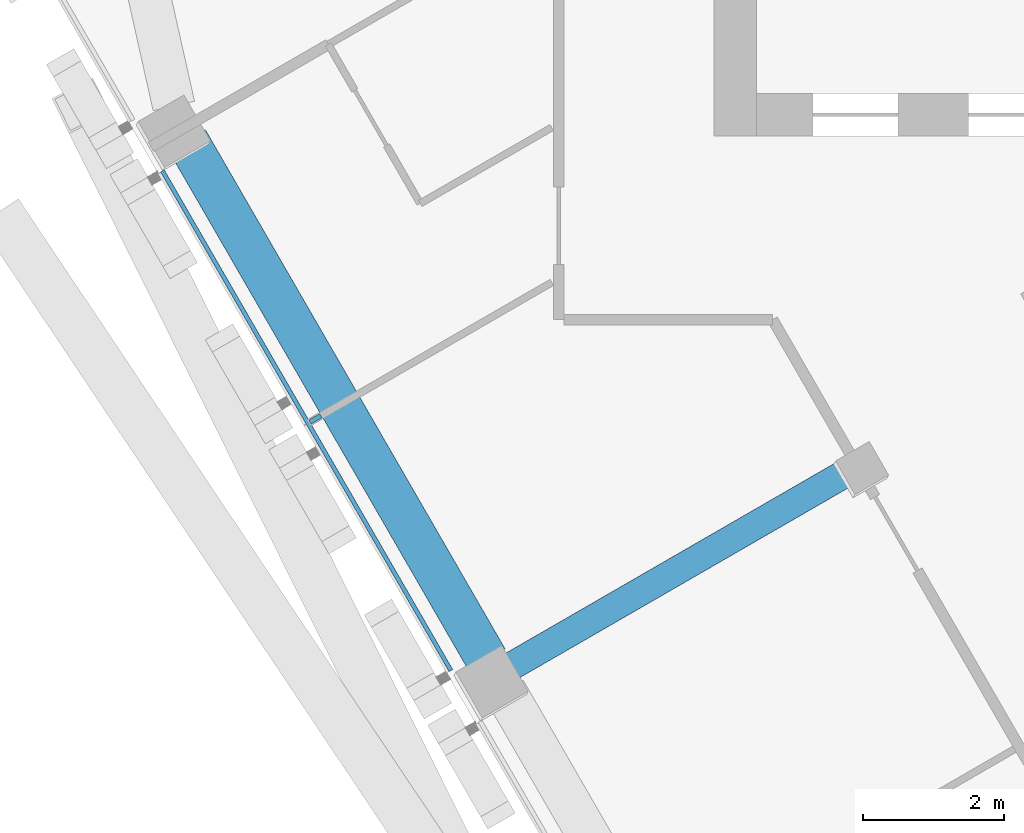
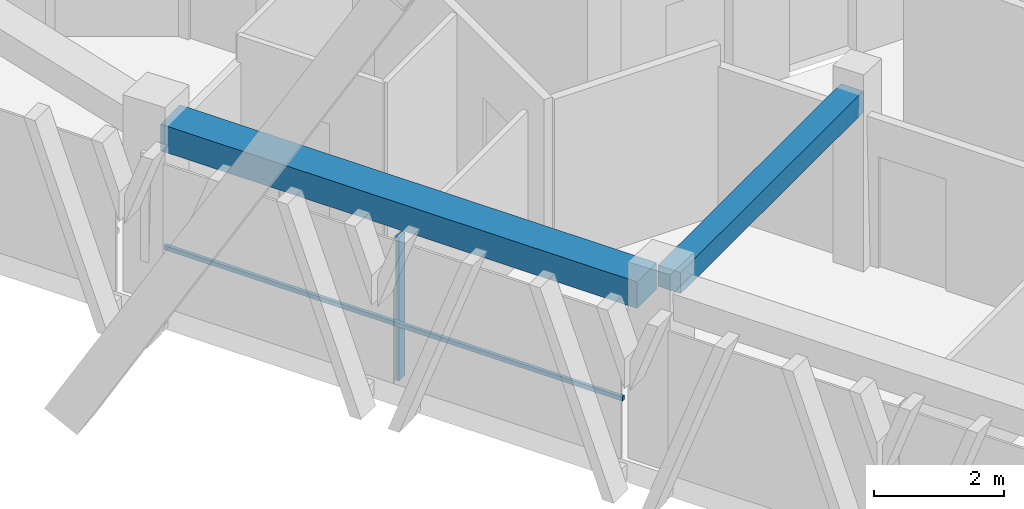
# One storey, part 6 of 22: 2 beams, 2 members, 1 element without a shape of its own.
"""IFC4 building model written with IfcOpenShell, lengths in metres."""

from ifc_helpers import new_model, si_unit, direction, frame, origin, origin_2d, place, context, subcontext, project, spatial, rectangle, extrude, material, layer, layer_set, material_profile, profile_set, type_object, element, aggregate, save


model = new_model("IFC4")

# Units and contexts
model_context = context("Model", 3, precision=1e-05, world=origin(), true_north=direction((0.0, 1.0)))
body_context = subcontext(model_context, "Body", "Model", "MODEL_VIEW")
ifc_project = project(units=[si_unit("LENGTHUNIT", "METRE"), si_unit("AREAUNIT", "SQUARE_METRE"), si_unit("VOLUMEUNIT", "CUBIC_METRE"), si_unit("PLANEANGLEUNIT", "RADIAN"), si_unit("MASSUNIT", "GRAM", prefix="KILO")], contexts=[model_context])

# Site, building, storey
site_placement = place(None, origin())
site = spatial("IfcSite", under=ifc_project, at=site_placement, CompositionType="ELEMENT")
building_placement = place(site_placement, origin())
building = spatial("IfcBuilding", under=site, at=building_placement, Name="Altiplano Prism Tower", CompositionType="ELEMENT")
storey_placement = place(building_placement, frame((0.0, 0.0, 219.39990234375)))
storey = spatial("IfcBuildingStorey", under=building, at=storey_placement, Name="L56", CompositionType="ELEMENT", Elevation=219.39990234375)

# Curtain wall, members
ifc_material_1 = material(Name="Aluminium and glass", Category="aluminium")
ifc_layer = layer(ifc_material_1, 0.280029296875)
ifc_layer_set = layer_set([ifc_layer], Name="Aluminium and glass")
curtain_wall_type = type_object("IfcCurtainWallType", Name="CW1 typical co-living unitised curtain wall", PredefinedType="NOTDEFINED", material=ifc_layer_set)
curtain_wall_placement = place(storey_placement, origin())
curtain_wall = element("IfcCurtainWall", 1, at=curtain_wall_placement, inside=storey, type_object=curtain_wall_type, Name="CW1 curtain wall south-west face L56", PredefinedType="NOTDEFINED")
ifc_material_2 = material(Name="Aluminium", Category="aluminium")
ifc_material_profile_1 = material_profile(ifc_material_2, rectangle(XDim=0.179931640625, YDim=0.06494140625, at=origin_2d()), Name="CW1 mullion 65 x 180")
ifc_profile_set_1 = profile_set([ifc_material_profile_1], Name="Aluminium")
member_type_1 = type_object("IfcMemberType", Name="CW1 mullion 65 x 180", PredefinedType="MULLION", material=ifc_profile_set_1)
member_1_placement = place(storey_placement, frame((66.7529296875, 88.793701171875, 0.0), z_axis=(0.0, 0.0, 1.0), x_axis=(0.866025415356, 0.499999979958, 0.0)))
member_1 = element("IfcMember", 2, at=member_1_placement, type_object=member_type_1, Name="CW1 mullion", PredefinedType="MULLION", context=body_context, shape_type="SweptSolid", body=[
    extrude(rectangle(XDim=0.179931640625, YDim=0.06494140625, at=origin_2d()), origin(), (0.0, 0.0, 1.0), 2.7001953125),
])
ifc_material_profile_2 = material_profile(ifc_material_2, rectangle(XDim=0.06005859375, YDim=0.080078125, at=origin_2d()), Name="CW1 transom 80 x 60")
ifc_profile_set_2 = profile_set([ifc_material_profile_2], Name="Aluminium")
member_type_2 = type_object("IfcMemberType", Name="CW1 transom 80 x 60", PredefinedType="USERDEFINED", material=ifc_profile_set_2)
member_2_placement = place(storey_placement, frame((64.5869140625, 92.3056640625, 1.10009765625), z_axis=(0.499995783154, -0.866027838368, 0.0), x_axis=(0.866027838368, 0.499995783154, 0.0)))
member_2 = element("IfcMember", 3, at=member_2_placement, type_object=member_type_2, Name="CW1 transom", ObjectType="TRANSOM", PredefinedType="USERDEFINED", context=body_context, shape_type="SweptSolid", body=[
    extrude(rectangle(XDim=0.06005859375, YDim=0.080078125, at=origin_2d()), origin(), (0.0, 0.0, 1.0), 8.169921875),
])
aggregate(curtain_wall, [member_1, member_2])

# Beams
ifc_material_3 = material(Name="Concrete C60/75", Category="concrete")
ifc_material_profile_3 = material_profile(ifc_material_3, rectangle(XDim=0.60009765625, YDim=0.5, at=origin_2d()), Name="Edge beam 600x500")
ifc_profile_set_3 = profile_set([ifc_material_profile_3], Name="Concrete C60/75")
beam_type_1 = type_object("IfcBeamType", Name="Edge beam 600x500", PredefinedType="SPANDREL", material=ifc_profile_set_3)
beam_1_placement = place(storey_placement, frame((64.935791015625, 92.738525390625, 2.9501953125), z_axis=(0.49998963237, -0.866031389456, 0.0), x_axis=(0.866031389456, 0.49998963237, 0.0)))
element("IfcBeam", 4, at=beam_1_placement, inside=storey, type_object=beam_type_1, Name="Edge beam P11-P12 L57", PredefinedType="SPANDREL", context=body_context, shape_type="SweptSolid", body=[
    extrude(rectangle(XDim=0.60009765625, YDim=0.5, at=origin_2d()), origin(), (0.0, 0.0, 1.0), 8.489990234375),
])
ifc_material_profile_4 = material_profile(ifc_material_3, rectangle(XDim=0.39990234375, YDim=0.39990234375, at=origin_2d()), Name="Tie beam 400x400")
ifc_profile_set_4 = profile_set([ifc_material_profile_4], Name="Concrete C60/75")
beam_type_2 = type_object("IfcBeamType", Name="Tie beam 400x400", PredefinedType="BEAM", material=ifc_profile_set_4)
beam_2_placement = place(storey_placement, frame((74.413330078125, 88.11279296875, 3.0), z_axis=(-0.866015459562, -0.500017223503, 0.0), x_axis=(0.500017223503, -0.866015459562, 0.0)))
element("IfcBeam", 5, at=beam_2_placement, inside=storey, type_object=beam_type_2, Name="Tie beam I12 L57", PredefinedType="BEAM", context=body_context, shape_type="SweptSolid", body=[
    extrude(rectangle(XDim=0.39990234375, YDim=0.39990234375, at=origin_2d()), origin(), (0.0, 0.0, 1.0), 5.639892578125),
])

save(model, "model.ifc")
